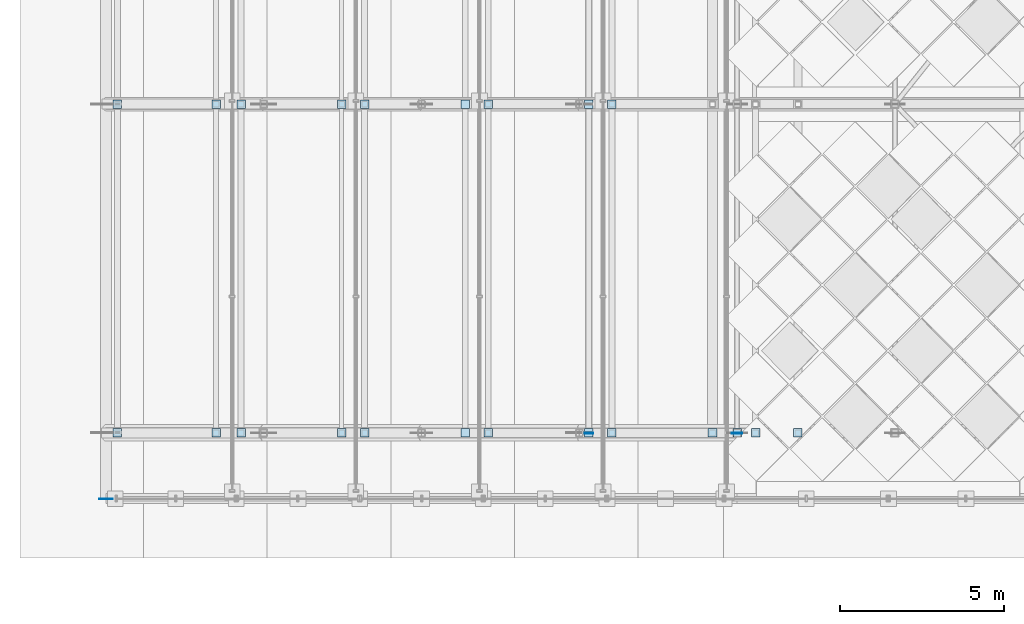
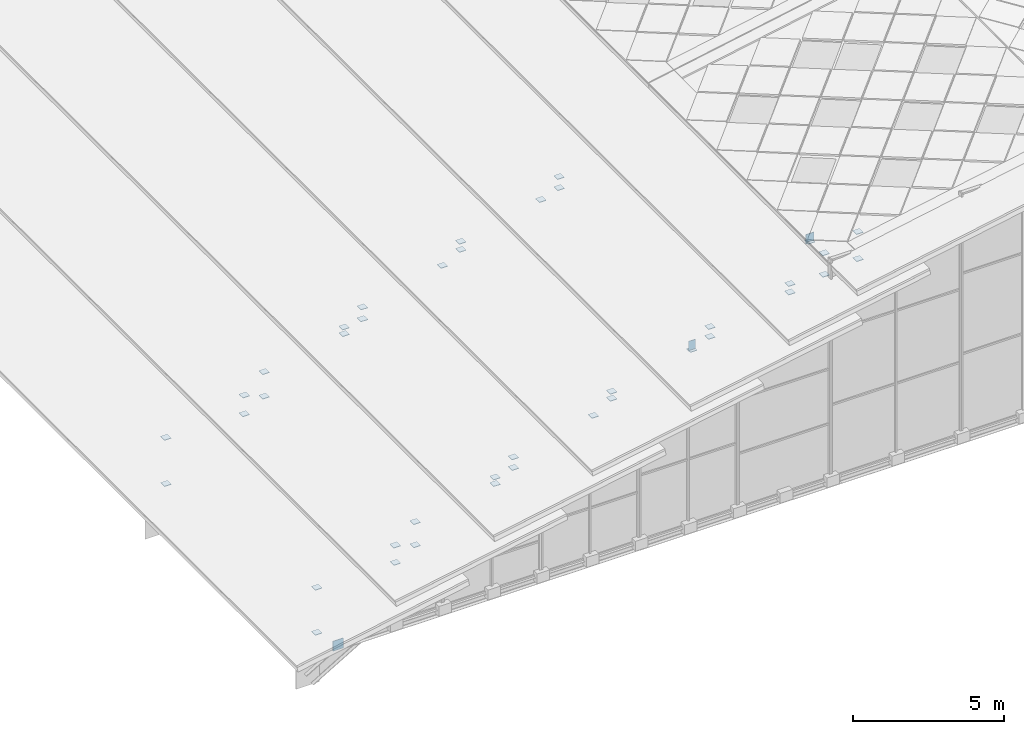
# One storey, part 101 of 117: 42 plates.
"""IFC4 building model written with IfcOpenShell, lengths in metres."""

from ifc_helpers import new_model, si_unit, direction, frame, origin, origin_2d, place, context, subcontext, project, spatial, rectangle, extrude, material, layer, layer_set, type_object, element, save


model = new_model("IFC4")

# Units and contexts
model_context = context("Model", 3, precision=1e-05, world=origin(), true_north=direction((0.0, 1.0)))
body_context = subcontext(model_context, "Body", "Model", "MODEL_VIEW")
ifc_project = project(units=[si_unit("LENGTHUNIT", "METRE"), si_unit("AREAUNIT", "SQUARE_METRE"), si_unit("VOLUMEUNIT", "CUBIC_METRE"), si_unit("PLANEANGLEUNIT", "RADIAN"), si_unit("MASSUNIT", "GRAM", prefix="KILO")], contexts=[model_context])

# Site, building, storey
site_placement = place(None, origin())
site = spatial("IfcSite", under=ifc_project, at=site_placement, CompositionType="ELEMENT")
building_placement = place(site_placement, origin())
building = spatial("IfcBuilding", under=site, at=building_placement, Name="Merenkruunu Market Hall", CompositionType="ELEMENT")
storey_placement = place(building_placement, frame((0.0, 0.0, 22.800048828125)))
storey = spatial("IfcBuildingStorey", under=building, at=storey_placement, Name="RF", CompositionType="ELEMENT", Elevation=22.800048828125)

# Plates
ifc_material = material(Name="Steel S355ML", Category="steel")
ifc_layer_1 = layer(ifc_material, 0.02001953125)
ifc_layer_set_1 = layer_set([ifc_layer_1], Name="Steel S355ML")
plate_type_1 = type_object("IfcPlateType", Name="Truss Gusset Or Cap Plate CP04", PredefinedType="USERDEFINED", material=ifc_layer_set_1)
for number, where, z_axis, x_axis, name in (
    (1, (19.199951171875, 17.60009765625, -0.50048828125), (0.0, 0.0, 1.0), (1.0, 0.0, 0.0), "PLT-AT-1-PCAP-04"),
    (2, (0.35009765625, 17.60009765625, -9.718994140625), (0.0, 0.0, 1.0), (1.0, 0.0, 0.0), "PLT-AT-1-RBASE-W1-1"),
    (3, (0.35009765625, 17.60009765625, -7.900390625), (0.0, 0.0, 1.0), (1.0, 0.0, 0.0), "PLT-AT-1-RCAP-W1-1"),
    (4, (3.35009765625, 17.60009765625, -7.947998046875), (0.0, 0.0, 1.0), (1.0, 0.0, 0.0), "PLT-AT-1-RBASE-W1-2"),
    (5, (3.35009765625, 17.60009765625, -7.241455078125), (0.0, 0.0, 1.0), (1.0, 0.0, 0.0), "PLT-AT-1-RCAP-W1-2"),
    (6, (4.110107421875, 17.60009765625, -7.4990234375), (0.0, 0.0, 1.0), (1.0, 0.0, 0.0), "PLT-AT-1-RBASE-W2-1"),
    (7, (4.110107421875, 17.60009765625, -6.56005859375), (0.0, 0.0, 1.0), (1.0, 0.0, 0.0), "PLT-AT-1-RCAP-W2-1"),
    (8, (7.169921875, 17.60009765625, -6.09326171875), (0.0, 0.0, 1.0), (1.0, 0.0, 0.0), "PLT-AT-1-RBASE-W2-2"),
    (9, (7.169921875, 17.60009765625, -5.827392578125), (0.0, 0.0, 1.0), (1.0, 0.0, 0.0), "PLT-AT-1-RCAP-W2-2"),
    (10, (7.8701171875, 17.60009765625, -5.68798828125), (0.0, 0.0, 1.0), (1.0, 0.0, 0.0), "PLT-AT-1-RBASE-W3-1"),
    (11, (7.8701171875, 17.60009765625, -5.26025390625), (0.0, 0.0, 1.0), (1.0, 0.0, 0.0), "PLT-AT-1-RCAP-W3-1"),
    (12, (10.929931640625, 17.60009765625, -4.65234375), (0.0, 0.0, 1.0), (1.0, 0.0, 0.0), "PLT-AT-1-RCAP-W3-2"),
    (13, (11.6298828125, 17.60009765625, -4.203125), (0.0, 0.0, 1.0), (1.0, 0.0, 0.0), "PLT-AT-1-RBASE-W4-1"),
    (14, (11.6298828125, 17.60009765625, -3.920166015625), (0.0, 0.0, 1.0), (1.0, 0.0, 0.0), "PLT-AT-1-RCAP-W4-1"),
    (15, (14.68994140625, 17.60009765625, -3.3046875), (0.0, 0.0, 1.0), (1.0, 0.0, 0.0), "PLT-AT-1-RCAP-W4-2"),
    (16, (15.389892578125, 17.60009765625, -3.02099609375), (0.0, 0.0, 1.0), (1.0, 0.0, 0.0), "PLT-AT-1-RBASE-W5-1"),
    (17, (15.389892578125, 17.60009765625, -2.620361328125), (0.0, 0.0, 1.0), (1.0, 0.0, 0.0), "PLT-AT-1-RCAP-W5-1"),
    (18, (18.449951171875, 17.60009765625, -2.2939453125), (0.0, 0.0, 1.0), (1.0, 0.0, 0.0), "PLT-AT-1-RBASE-W5-2"),
    (19, (18.449951171875, 17.60009765625, -1.954345703125), (0.0, 0.0, 1.0), (1.0, 0.0, 0.0), "PLT-AT-1-RCAP-W5-2"),
    (20, (19.760009765625, 17.60009765625, -2.0380859375), (0.0, 0.0, 1.0), (1.0, 0.0, 0.0), "PLT-AT-1-RBASE-W6-1"),
    (21, (19.760009765625, 17.60009765625, -1.1669921875), (0.0, 0.0, 1.0), (1.0, 0.0, 0.0), "PLT-AT-1-RCAP-W6-1"),
    (22, (21.050048828125, 17.60009765625, -1.857177734375), (0.0, 0.0, 1.0), (1.0, 0.0, 0.0), "PLT-AT-1-RBASE-W6-2"),
    (23, (21.050048828125, 17.60009765625, -0.763427734375), (0.0, 0.0, 1.0), (1.0, 0.0, 0.0), "PLT-AT-1-RCAP-W6-2"),
    (24, (0.35009765625, 27.60009765625, -9.769775390625), (0.0, 0.0, 1.0), (1.0, 0.0, 0.0), "PLT-AT-2-RBASE-W1-1"),
    (25, (0.35009765625, 27.60009765625, -7.900390625), (0.0, 0.0, 1.0), (1.0, 0.0, 0.0), "PLT-AT-2-RCAP-W1-1"),
    (26, (3.35009765625, 27.60009765625, -7.998779296875), (0.0, 0.0, 1.0), (1.0, 0.0, 0.0), "PLT-AT-2-RBASE-W1-2"),
    (27, (3.35009765625, 27.60009765625, -7.241455078125), (0.0, 0.0, 1.0), (1.0, 0.0, 0.0), "PLT-AT-2-RCAP-W1-2"),
    (28, (4.110107421875, 27.60009765625, -7.5498046875), (0.0, 0.0, 1.0), (1.0, 0.0, 0.0), "PLT-AT-2-RBASE-W2-1"),
    (29, (4.110107421875, 27.60009765625, -6.56005859375), (0.0, 0.0, 1.0), (1.0, 0.0, 0.0), "PLT-AT-2-RCAP-W2-1"),
    (30, (7.169921875, 27.60009765625, -6.09326171875), (0.0, 0.0, 1.0), (1.0, 0.0, 0.0), "PLT-AT-2-RBASE-W2-2"),
    (31, (7.169921875, 27.60009765625, -5.827392578125), (0.0, 0.0, 1.0), (1.0, 0.0, 0.0), "PLT-AT-2-RCAP-W2-2"),
    (32, (7.8701171875, 27.60009765625, -5.73876953125), (0.0, 0.0, 1.0), (1.0, 0.0, 0.0), "PLT-AT-2-RBASE-W3-1"),
    (33, (7.8701171875, 27.60009765625, -5.26025390625), (0.0, 0.0, 1.0), (1.0, 0.0, 0.0), "PLT-AT-2-RCAP-W3-1"),
    (34, (10.929931640625, 27.60009765625, -4.65234375), (0.0, 0.0, 1.0), (1.0, 0.0, 0.0), "PLT-AT-2-RCAP-W3-2"),
    (35, (11.6298828125, 27.60009765625, -4.25390625), (0.0, 0.0, 1.0), (1.0, 0.0, 0.0), "PLT-AT-2-RBASE-W4-1"),
    (36, (11.6298828125, 27.60009765625, -3.920166015625), (0.0, 0.0, 1.0), (1.0, 0.0, 0.0), "PLT-AT-2-RCAP-W4-1"),
    (37, (14.68994140625, 27.60009765625, -3.3046875), (0.0, 0.0, 1.0), (1.0, 0.0, 0.0), "PLT-AT-2-RCAP-W4-2"),
    (38, (15.389892578125, 27.60009765625, -3.07177734375), (0.0, 0.0, 1.0), (1.0, 0.0, 0.0), "PLT-AT-2-RBASE-W5-1"),
    (39, (15.389892578125, 27.60009765625, -2.620361328125), (0.0, 0.0, 1.0), (1.0, 0.0, 0.0), "PLT-AT-2-RCAP-W5-1"),
):
    element("IfcPlate", number, at=place(storey_placement, frame(where, z_axis=z_axis, x_axis=x_axis)), inside=storey, type_object=plate_type_1, Name=name, ObjectType="GUSSET_PLATE", PredefinedType="USERDEFINED", context=body_context, shape_type="SweptSolid", body=[
        extrude(rectangle(XDim=0.260009765625, YDim=0.260009765625, at=origin_2d()), origin(), (0.0, 0.0, 1.0), 0.02001953125),
    ])
ifc_layer_2 = layer(ifc_material, 0.02197265625)
ifc_layer_set_2 = layer_set([ifc_layer_2], Name="Steel S355ML")
plate_type_2 = type_object("IfcPlateType", Name="Truss Gusset Or Cap Plate CP05", PredefinedType="USERDEFINED", material=ifc_layer_set_2)
plate_1_placement = place(storey_placement, frame((19.199951171875, 17.590087890625, -0.54541015625), z_axis=(0.0, 0.0, 1.0), x_axis=(1.0, 0.0, 0.0)))
element("IfcPlate", 40, at=plate_1_placement, inside=storey, type_object=plate_type_2, Name="PLT-CROWNCAP-1-1", ObjectType="GUSSET_PLATE", PredefinedType="USERDEFINED", context=body_context, shape_type="SweptSolid", body=[
    extrude(rectangle(XDim=0.320068359375, YDim=0.02197265625, at=origin_2d()), origin(), (0.0, 0.0, 1.0), 0.3798828125),
])
ifc_layer_3 = layer(ifc_material, 0.02392578125)
ifc_layer_set_3 = layer_set([ifc_layer_3], Name="Steel S355ML")
plate_type_3 = type_object("IfcPlateType", Name="Truss Gusset Or Cap Plate CP06", PredefinedType="USERDEFINED", material=ifc_layer_set_3)
plate_2_placement = place(storey_placement, frame((0.0, 15.590087890625, -9.06005859375), z_axis=(0.0, 0.0, 1.0), x_axis=(1.0, 0.0, 0.0)))
element("IfcPlate", 41, at=plate_2_placement, inside=storey, type_object=plate_type_3, Name="PLT-SPCAP-01", ObjectType="GUSSET_PLATE", PredefinedType="USERDEFINED", context=body_context, shape_type="SweptSolid", body=[
    extrude(rectangle(XDim=0.39990234375, YDim=0.02392578125, at=origin_2d()), origin(), (0.0, 0.0, 1.0), 0.39990234375),
])
ifc_layer_4 = layer(ifc_material, 0.02001953125)
ifc_layer_set_4 = layer_set([ifc_layer_4], Name="Steel S355ML")
plate_type_4 = type_object("IfcPlateType", Name="Truss Gusset Or Cap Plate CP07", PredefinedType="USERDEFINED", material=ifc_layer_set_4)
plate_3_placement = place(storey_placement, frame((14.68994140625, 17.590087890625, -3.309814453125), z_axis=(0.0, 0.0, 1.0), x_axis=(1.0, 0.0, 0.0)))
element("IfcPlate", 42, at=plate_3_placement, inside=storey, type_object=plate_type_4, Name="PLT-PRCAP-01", ObjectType="GUSSET_PLATE", PredefinedType="USERDEFINED", context=body_context, shape_type="SweptSolid", body=[
    extrude(rectangle(XDim=0.260009765625, YDim=0.02001953125, at=origin_2d()), origin(), (0.0, 0.0, 1.0), 0.39990234375),
])

save(model, "model.ifc")
